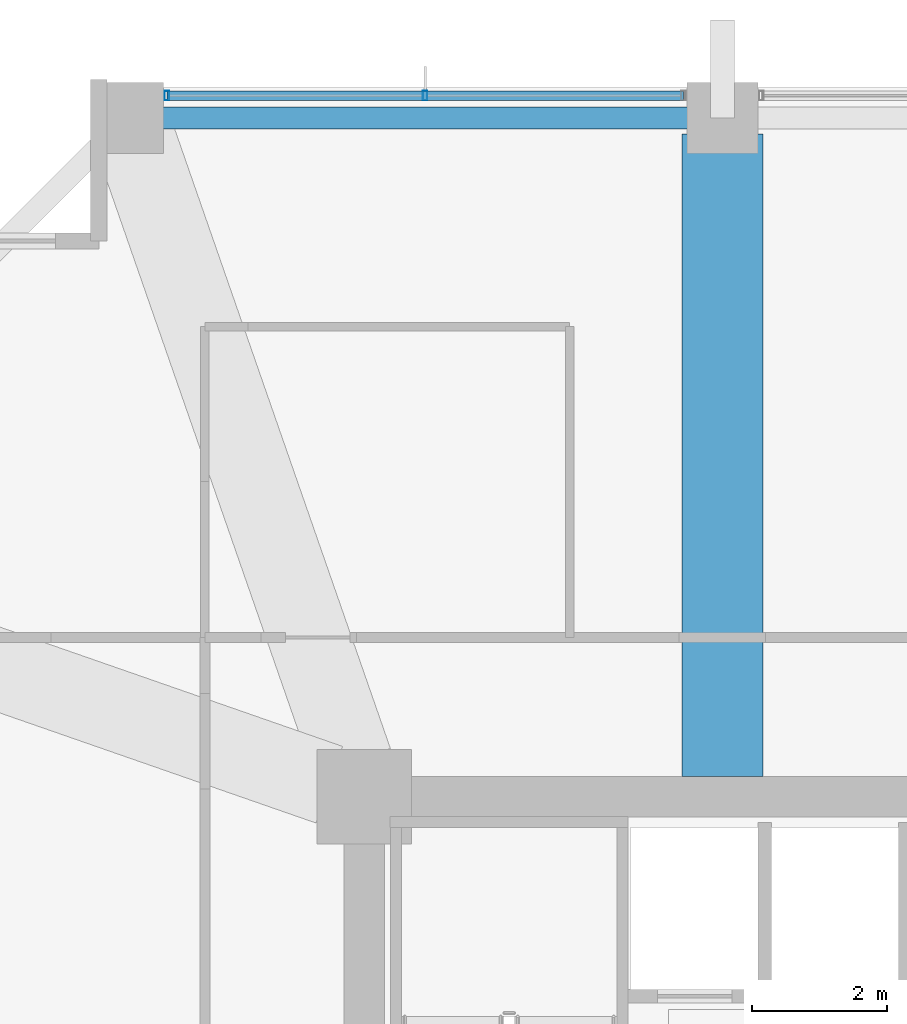
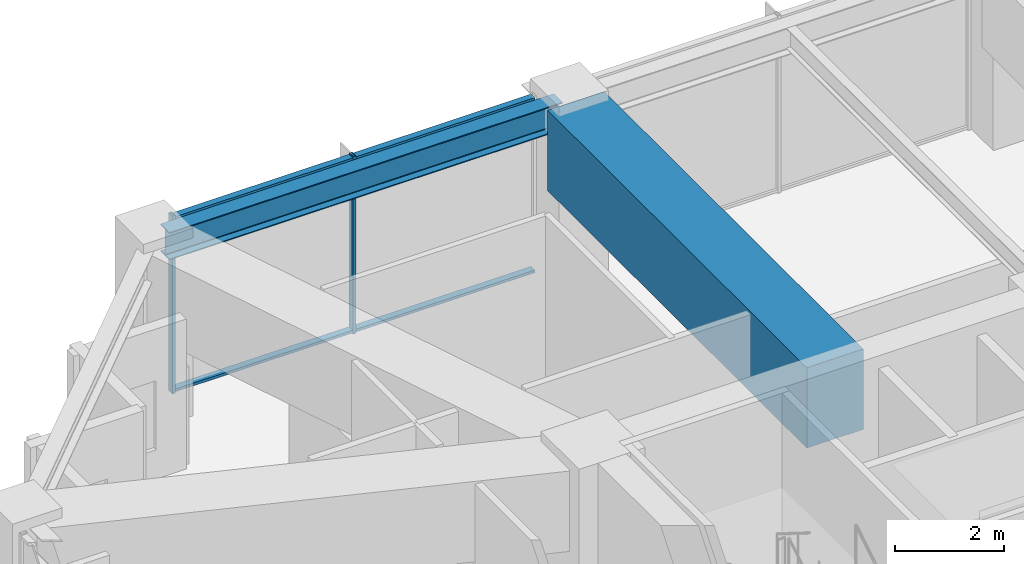
# One storey, part 22 of 40: 4 members, 2 beams, 1 element without a shape of its own.
"""IFC4 building model written with IfcOpenShell, lengths in metres."""

from ifc_helpers import new_model, si_unit, direction, frame, origin, origin_2d, place, context, subcontext, project, spatial, rectangle, hollow_rectangle, i_section, extrude, material, material_profile, profile_set, type_object, element, aggregate, save


model = new_model("IFC4")

# Units and contexts
model_context = context("Model", 3, precision=1e-05, world=origin(), true_north=direction((0.0, 1.0)))
body_context = subcontext(model_context, "Body", "Model", "MODEL_VIEW")
ifc_project = project(units=[si_unit("LENGTHUNIT", "METRE"), si_unit("AREAUNIT", "SQUARE_METRE"), si_unit("VOLUMEUNIT", "CUBIC_METRE"), si_unit("PLANEANGLEUNIT", "RADIAN"), si_unit("MASSUNIT", "GRAM", prefix="KILO")], contexts=[model_context])

# Site, building, storey
site_placement = place(None, origin())
site = spatial("IfcSite", under=ifc_project, at=site_placement, CompositionType="ELEMENT")
building_placement = place(site_placement, origin())
building = spatial("IfcBuilding", under=site, at=building_placement, Name="Kolvaren Belvedere", CompositionType="ELEMENT")
storey_placement = place(building_placement, frame((0.0, 0.0, 68.0)))
storey = spatial("IfcBuildingStorey", under=building, at=storey_placement, Name="L19", CompositionType="ELEMENT", Elevation=68.0)

# Beams
ifc_material_1 = material(Name="Structural steel ASTM A992 Grade 50", Category="steel")
ifc_material_profile_1 = material_profile(ifc_material_1, i_section(OverallWidth=0.324951171875, OverallDepth=0.615966796875, WebThickness=0.013916015625, FlangeThickness=0.021484375, FilletRadius=0.02001953125, at=origin_2d()), Name="W24X117")
ifc_profile_set_1 = profile_set([ifc_material_profile_1], Name="Structural steel ASTM A992 Grade 50")
beam_type_1 = type_object("IfcBeamType", Name="BM-SPAN-W24X117", PredefinedType="SPANDREL", material=ifc_profile_set_1)
beam_1_placement = place(storey_placement, frame((-4.836181640625, 19.949951171875, 3.672119140625), z_axis=(-1.0, 0.0, 0.0), x_axis=(0.0, -1.0, 0.0)))
element("IfcBeam", 1, at=beam_1_placement, inside=storey, type_object=beam_type_1, Name="L19 Perimeter Spandrel N2-N1", PredefinedType="SPANDREL", context=body_context, shape_type="SweptSolid", body=[
    extrude(i_section(OverallWidth=0.324951171875, OverallDepth=0.615966796875, WebThickness=0.013916015625, FlangeThickness=0.021484375, FilletRadius=0.02001953125, at=origin_2d()), origin(), (0.0, 0.0, 1.0), 8.32763671875),
])
ifc_material_2 = material(Name="Concrete C50/60", Category="concrete")
ifc_material_profile_2 = material_profile(ifc_material_2, rectangle(XDim=1.199951171875, YDim=1.800048828125, at=origin_2d()), Name="RC 1200X1800")
ifc_profile_set_2 = profile_set([ifc_material_profile_2], Name="Concrete C50/60")
beam_type_2 = type_object("IfcBeamType", Name="BM-TG-1800", PredefinedType="BEAM", material=ifc_profile_set_2)
beam_2_placement = place(storey_placement, frame((-4.60009765625, 10.199951171875, 3.080078125), z_axis=(0.0, 1.0, 0.0), x_axis=(-1.0, 0.0, 0.0)))
element("IfcBeam", 2, at=beam_2_placement, inside=storey, type_object=beam_type_2, Name="L19 North Radial Girder M", PredefinedType="BEAM", context=body_context, shape_type="SweptSolid", body=[
    extrude(rectangle(XDim=1.199951171875, YDim=1.800048828125, at=origin_2d()), origin(), (0.0, 0.0, 1.0), 9.513916015625),
])

# Curtain wall, members
ifc_material_3 = material(Name="Anodised pale-metal aluminium AA 6063-T6", Category="aluminium")
curtain_wall_type = type_object("IfcCurtainWallType", Name="CW-Z2-MID", PredefinedType="NOTDEFINED", material=ifc_material_3)
curtain_wall_placement = place(storey_placement, origin())
curtain_wall = element("IfcCurtainWall", 3, at=curtain_wall_placement, inside=storey, type_object=curtain_wall_type, Name="L19 Unitised Curtain Wall FCW-L19-N-B1", PredefinedType="NOTDEFINED")
ifc_material_4 = material(Name="Anodised pale-metal aluminium AA 6063-T6", Category="aluminium")
ifc_material_profile_3 = material_profile(ifc_material_4, hollow_rectangle(XDim=0.06494140625, YDim=0.139892578125, WallThickness=0.00390625, at=origin_2d()), Name="ALU-MUL-140X65")
ifc_profile_set_3 = profile_set([ifc_material_profile_3], Name="Anodised pale-metal aluminium AA 6063-T6")
member_type_1 = type_object("IfcMemberType", Name="CW-MUL-140", PredefinedType="MULLION", material=ifc_profile_set_3)
member_1_placement = place(storey_placement, frame((-12.822509765625, 20.280029296875, 0.0), z_axis=(0.0, 0.0, 1.0), x_axis=(1.0, 0.0, 0.0)))
member_1 = element("IfcMember", 4, at=member_1_placement, type_object=member_type_1, Name="FCW-L19-N-B1 Unitised Mullion 1", PredefinedType="MULLION", context=body_context, shape_type="SweptSolid", body=[
    extrude(hollow_rectangle(XDim=0.06494140625, YDim=0.139892578125, WallThickness=0.00390625, at=origin_2d()), origin(), (0.0, 0.0, 1.0), 3.97998046875),
])
member_2_placement = place(storey_placement, frame((-9.0, 20.280029296875, 0.0), z_axis=(0.0, 0.0, 1.0), x_axis=(1.0, 0.0, 0.0)))
member_2 = element("IfcMember", 5, at=member_2_placement, type_object=member_type_1, Name="FCW-L19-N-B1 Unitised Mullion 2", PredefinedType="MULLION", context=body_context, shape_type="SweptSolid", body=[
    extrude(hollow_rectangle(XDim=0.06494140625, YDim=0.139892578125, WallThickness=0.00390625, at=origin_2d()), origin(), (0.0, 0.0, 1.0), 3.97998046875),
])
ifc_material_5 = material(Name="Anodised pale-metal aluminium AA 6063-T6", Category="aluminium")
ifc_material_profile_4 = material_profile(ifc_material_5, hollow_rectangle(XDim=0.06005859375, YDim=0.139892578125, WallThickness=0.00390625, at=origin_2d()), Name="ALU-TRN-140X60")
ifc_profile_set_4 = profile_set([ifc_material_profile_4], Name="Anodised pale-metal aluminium AA 6063-T6")
member_type_2 = type_object("IfcMemberType", Name="CW-TRN-140", PredefinedType="USERDEFINED", material=ifc_profile_set_4)
member_3_placement = place(storey_placement, frame((-12.822509765625, 20.280029296875, 0.06005859375), z_axis=(1.0, 0.0, 0.0), x_axis=(0.0, 0.0, 1.0)))
member_3 = element("IfcMember", 6, at=member_3_placement, type_object=member_type_2, Name="FCW-L19-N-B1 Sill Transom", ObjectType="TRANSOM", PredefinedType="USERDEFINED", context=body_context, shape_type="SweptSolid", body=[
    extrude(hollow_rectangle(XDim=0.06005859375, YDim=0.139892578125, WallThickness=0.00390625, at=origin_2d()), origin(), (0.0, 0.0, 1.0), 7.64501953125),
])
member_4_placement = place(storey_placement, frame((-12.822509765625, 20.280029296875, 3.919921875), z_axis=(1.0, 0.0, 0.0), x_axis=(0.0, 0.0, 1.0)))
member_4 = element("IfcMember", 7, at=member_4_placement, type_object=member_type_2, Name="FCW-L19-N-B1 Head Transom", ObjectType="TRANSOM", PredefinedType="USERDEFINED", context=body_context, shape_type="SweptSolid", body=[
    extrude(hollow_rectangle(XDim=0.06005859375, YDim=0.139892578125, WallThickness=0.00390625, at=origin_2d()), origin(), (0.0, 0.0, 1.0), 7.64501953125),
])
aggregate(curtain_wall, [member_1, member_2, member_3, member_4])

save(model, "model.ifc")
